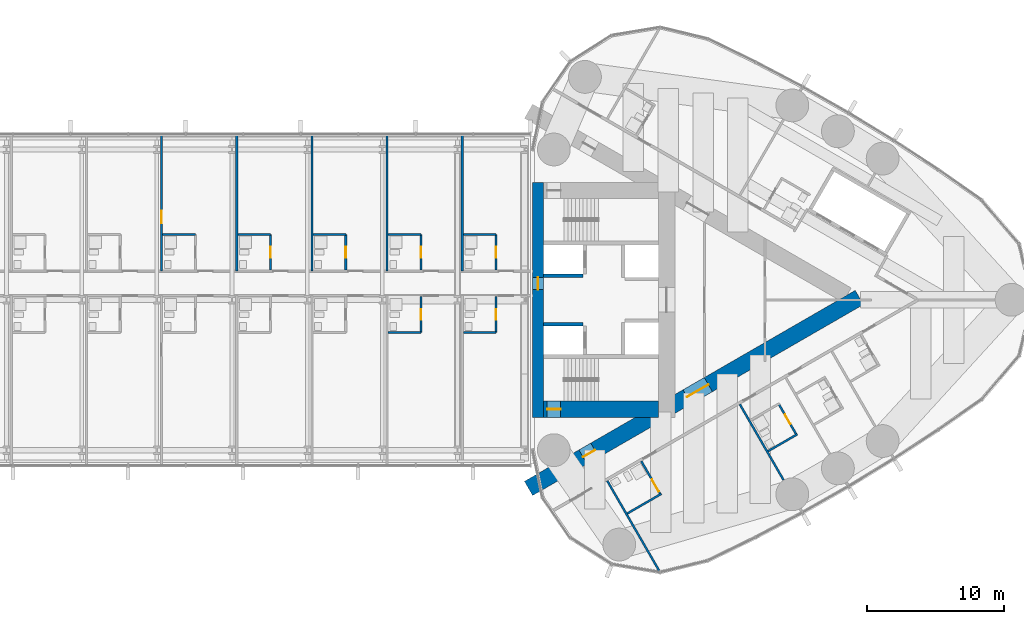
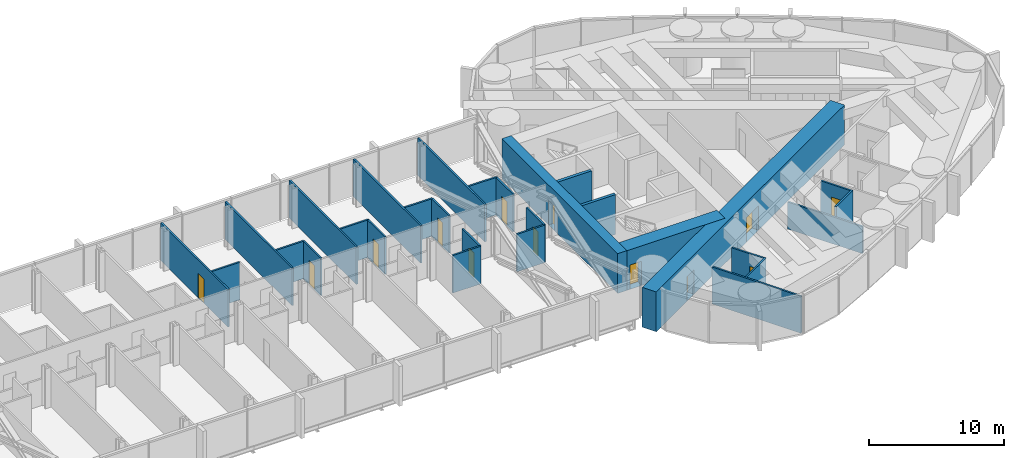
# One storey, part 18 of 23: 29 walls, 13 doors, 13 openings.
"""IFC4 building model written with IfcOpenShell, lengths in metres."""

from ifc_helpers import new_model, si_unit, direction, frame, frame_2d, origin, place, context, subcontext, project, spatial, rectangle, extrude, material, layer, layer_set, type_object, element, fill, save


model = new_model("IFC4")

# Units and contexts
model_context = context("Model", 3, precision=1e-05, world=origin(), true_north=direction((0.0, 1.0)))
body_context = subcontext(model_context, "Body", "Model", "MODEL_VIEW")
ifc_project = project(units=[si_unit("LENGTHUNIT", "METRE"), si_unit("AREAUNIT", "SQUARE_METRE"), si_unit("VOLUMEUNIT", "CUBIC_METRE"), si_unit("PLANEANGLEUNIT", "RADIAN"), si_unit("MASSUNIT", "GRAM", prefix="KILO")], contexts=[model_context])

# Site, building, storey
site_placement = place(None, origin())
site = spatial("IfcSite", under=ifc_project, at=site_placement, CompositionType="ELEMENT")
building_placement = place(site_placement, origin())
building = spatial("IfcBuilding", under=site, at=building_placement, Name="Lancet Gate Hotel", CompositionType="ELEMENT")
storey_placement = place(building_placement, frame((0.0, 0.0, 222.5)))
storey = spatial("IfcBuildingStorey", under=building, at=storey_placement, Name="L59", CompositionType="ELEMENT", Elevation=222.5)

# Wall
ifc_material_1 = material(Name="Moisture resistant board partition")
ifc_layer_1 = layer(ifc_material_1, 0.14990234375)
ifc_layer_set_1 = layer_set([ifc_layer_1], Name="Bathroom wall 150")
wall_type_1 = type_object("IfcWallType", Name="Bathroom wall 150", PredefinedType="PARTITIONING", material=ifc_layer_set_1)
wall_1_placement = place(storey_placement, frame((34.425048828125, -15.633056640625, 0.0), z_axis=(0.0, 0.0, 1.0), x_axis=(0.866018712932, 0.500011588718, 0.0)))
element("IfcWall", 1, at=wall_1_placement, inside=storey, type_object=wall_type_1, Name="T2 bathroom wall 150 L59", PredefinedType="PARTITIONING", context=body_context, shape_type="SweptSolid", body=[
    extrude(rectangle(XDim=2.875, YDim=0.14990234375, at=frame_2d((1.4375, 0.0))), origin(), (0.0, 0.0, 1.0), 3.35009765625),
])

# Wall, opening, door
wall_2_placement = place(storey_placement, frame((35.449951171875, -11.80810546875, 0.0), z_axis=(0.0, 0.0, 1.0), x_axis=(0.49994636267, -0.866056369097, 0.0)))
wall_2 = element("IfcWall", 2, at=wall_2_placement, inside=storey, type_object=wall_type_1, Name="T2 bathroom wall 150 L59", PredefinedType="PARTITIONING", context=body_context, shape_type="SweptSolid", body=[
    extrude(rectangle(XDim=2.800048828125, YDim=0.14990234375, at=frame_2d((1.39990234375, 0.0))), origin(), (0.0, 0.0, 1.0), 3.35009765625),
])
opening_1_placement = place(wall_2_placement, frame((1.550048828125, 0.0, 0.0)))
opening_1 = element("IfcOpeningElement", 3, at=opening_1_placement, cuts=wall_2, Name="Opening 5952-B", PredefinedType="OPENING", context=body_context, shape_type="SweptSolid", body=[
    extrude(rectangle(XDim=1.0, YDim=2.199951171875, at=frame_2d((0.5, 1.10009765625))), frame((0.0, 0.0849609375, 0.0), z_axis=(0.0, -1.0, 0.0), x_axis=(1.0, 0.0, 0.0)), (0.0, 0.0, 1.0), 0.169921875),
])
ifc_material_2 = material(Name="Timber door set", Category="wood")
door_type_1 = type_object("IfcDoorType", Name="Accessible en-suite door 1000", OperationType="SINGLE_SWING_RIGHT", PredefinedType="DOOR", material=ifc_material_2)
door_1_placement = place(opening_1_placement, origin())
door_1 = element("IfcDoor", 4, at=door_1_placement, inside=storey, type_object=door_type_1, Name="5952-B", OperationType="SINGLE_SWING_RIGHT", OverallHeight=2.199951171875, OverallWidth=1.0, PredefinedType="DOOR", context=body_context, shape_type="SweptSolid", body=[
    extrude(rectangle(XDim=1.0, YDim=2.199951171875, at=frame_2d((0.5, 1.10009765625))), frame((0.0, 0.02490234375, 0.0), z_axis=(0.0, -1.0, 0.0), x_axis=(1.0, 0.0, 0.0)), (0.0, 0.0, 1.0), 0.050048828125),
])
fill(opening_1, door_1)

# Wall
wall_3_placement = place(storey_placement, frame((44.724609375, -11.072265625, 0.0), z_axis=(0.0, 0.0, 1.0), x_axis=(0.866006523861, 0.500032699561, 0.0)))
element("IfcWall", 5, at=wall_3_placement, inside=storey, type_object=wall_type_1, Name="T2 bathroom wall 150 L59", PredefinedType="PARTITIONING", context=body_context, shape_type="SweptSolid", body=[
    extrude(rectangle(XDim=2.474853515625, YDim=0.14990234375, at=frame_2d((1.2373046875, 0.0))), origin(), (0.0, 0.0, 1.0), 3.35009765625),
])

# Wall, opening, door
wall_4_placement = place(storey_placement, frame((45.5029296875, -7.62060546875, 0.0), z_axis=(0.0, 0.0, 1.0), x_axis=(0.500006934395, -0.866021400173, 0.0)))
wall_4 = element("IfcWall", 6, at=wall_4_placement, inside=storey, type_object=wall_type_1, Name="T2 bathroom wall 150 L59", PredefinedType="PARTITIONING", context=body_context, shape_type="SweptSolid", body=[
    extrude(rectangle(XDim=2.60009765625, YDim=0.14990234375, at=frame_2d((1.300048828125, 0.0))), origin(), (0.0, 0.0, 1.0), 3.35009765625),
])
opening_2_placement = place(wall_4_placement, frame((0.89990234375, 0.0, 0.0)))
opening_2 = element("IfcOpeningElement", 7, at=opening_2_placement, cuts=wall_4, Name="Opening 5953-B", PredefinedType="OPENING", context=body_context, shape_type="SweptSolid", body=[
    extrude(rectangle(XDim=0.800048828125, YDim=2.199951171875, at=frame_2d((0.39990234375, 1.10009765625))), frame((0.0, 0.0849609375, 0.0), z_axis=(0.0, -1.0, 0.0), x_axis=(1.0, 0.0, 0.0)), (0.0, 0.0, 1.0), 0.169921875),
])
ifc_material_3 = material(Name="Timber door set", Category="wood")
door_type_2 = type_object("IfcDoorType", Name="Bathroom door 800", OperationType="SINGLE_SWING_RIGHT", PredefinedType="DOOR", material=ifc_material_3)
door_2_placement = place(opening_2_placement, origin())
door_2 = element("IfcDoor", 8, at=door_2_placement, inside=storey, type_object=door_type_2, Name="5953-B", OperationType="SINGLE_SWING_RIGHT", OverallHeight=2.199951171875, OverallWidth=0.800048828125, PredefinedType="DOOR", context=body_context, shape_type="SweptSolid", body=[
    extrude(rectangle(XDim=0.800048828125, YDim=2.199951171875, at=frame_2d((0.39990234375, 1.10009765625))), frame((0.0, 0.02490234375, 0.0), z_axis=(0.0, -1.0, 0.0), x_axis=(1.0, 0.0, 0.0)), (0.0, 0.0, 1.0), 0.050048828125),
])
fill(opening_2, door_2)

# Wall
wall_5_placement = place(storey_placement, frame((16.925048828125, -2.375, 0.0), z_axis=(0.0, 0.0, 1.0), x_axis=(1.0, 0.0, 0.0)))
element("IfcWall", 9, at=wall_5_placement, inside=storey, type_object=wall_type_1, Name="Bridge block bathroom wall 150 L59", PredefinedType="PARTITIONING", context=body_context, shape_type="SweptSolid", body=[
    extrude(rectangle(XDim=2.39990234375, YDim=0.14990234375, at=frame_2d((1.199951171875, 0.0))), origin(), (0.0, 0.0, 1.0), 3.39990234375),
])

# Wall, opening, door
wall_6_placement = place(storey_placement, frame((19.324951171875, -2.375, 0.0), z_axis=(0.0, 0.0, 1.0), x_axis=(0.0, 1.0, 0.0)))
wall_6 = element("IfcWall", 10, at=wall_6_placement, inside=storey, type_object=wall_type_1, Name="Bridge block bathroom wall 150 L59", PredefinedType="PARTITIONING", context=body_context, shape_type="SweptSolid", body=[
    extrude(rectangle(XDim=2.60009765625, YDim=0.14990234375, at=frame_2d((1.300048828125, 0.0))), origin(), (0.0, 0.0, 1.0), 3.39990234375),
])
opening_3_placement = place(wall_6_placement, frame((0.89990234375, 0.0, 0.0)))
opening_3 = element("IfcOpeningElement", 11, at=opening_3_placement, cuts=wall_6, Name="Opening B5909-B", PredefinedType="OPENING", context=body_context, shape_type="SweptSolid", body=[
    extrude(rectangle(XDim=0.800048828125, YDim=2.199951171875, at=frame_2d((0.39990234375, 1.10009765625))), frame((0.0, 0.0849609375, 0.0), z_axis=(0.0, -1.0, 0.0), x_axis=(1.0, 0.0, 0.0)), (0.0, 0.0, 1.0), 0.169921875),
])
door_3_placement = place(opening_3_placement, origin())
door_3 = element("IfcDoor", 12, at=door_3_placement, inside=storey, type_object=door_type_2, Name="B5909-B", OperationType="SINGLE_SWING_RIGHT", OverallHeight=2.199951171875, OverallWidth=0.800048828125, PredefinedType="DOOR", context=body_context, shape_type="SweptSolid", body=[
    extrude(rectangle(XDim=0.800048828125, YDim=2.199951171875, at=frame_2d((0.39990234375, 1.10009765625))), frame((0.0, 0.02490234375, 0.0), z_axis=(0.0, -1.0, 0.0), x_axis=(1.0, 0.0, 0.0)), (0.0, 0.0, 1.0), 0.050048828125),
])
fill(opening_3, door_3)

# Wall
wall_7_placement = place(storey_placement, frame((22.425048828125, -2.375, 0.0), z_axis=(0.0, 0.0, 1.0), x_axis=(1.0, 0.0, 0.0)))
element("IfcWall", 13, at=wall_7_placement, inside=storey, type_object=wall_type_1, Name="Bridge block bathroom wall 150 L59", PredefinedType="PARTITIONING", context=body_context, shape_type="SweptSolid", body=[
    extrude(rectangle(XDim=2.39990234375, YDim=0.14990234375, at=frame_2d((1.199951171875, 0.0))), origin(), (0.0, 0.0, 1.0), 3.39990234375),
])

# Wall, opening, door
wall_8_placement = place(storey_placement, frame((24.824951171875, -2.375, 0.0), z_axis=(0.0, 0.0, 1.0), x_axis=(0.0, 1.0, 0.0)))
wall_8 = element("IfcWall", 14, at=wall_8_placement, inside=storey, type_object=wall_type_1, Name="Bridge block bathroom wall 150 L59", PredefinedType="PARTITIONING", context=body_context, shape_type="SweptSolid", body=[
    extrude(rectangle(XDim=2.60009765625, YDim=0.14990234375, at=frame_2d((1.300048828125, 0.0))), origin(), (0.0, 0.0, 1.0), 3.39990234375),
])
opening_4_placement = place(wall_8_placement, frame((0.89990234375, 0.0, 0.0)))
opening_4 = element("IfcOpeningElement", 15, at=opening_4_placement, cuts=wall_8, Name="Opening B5910-B", PredefinedType="OPENING", context=body_context, shape_type="SweptSolid", body=[
    extrude(rectangle(XDim=0.800048828125, YDim=2.199951171875, at=frame_2d((0.39990234375, 1.10009765625))), frame((0.0, 0.0849609375, 0.0), z_axis=(0.0, -1.0, 0.0), x_axis=(1.0, 0.0, 0.0)), (0.0, 0.0, 1.0), 0.169921875),
])
door_4_placement = place(opening_4_placement, origin())
door_4 = element("IfcDoor", 16, at=door_4_placement, inside=storey, type_object=door_type_2, Name="B5910-B", OperationType="SINGLE_SWING_RIGHT", OverallHeight=2.199951171875, OverallWidth=0.800048828125, PredefinedType="DOOR", context=body_context, shape_type="SweptSolid", body=[
    extrude(rectangle(XDim=0.800048828125, YDim=2.199951171875, at=frame_2d((0.39990234375, 1.10009765625))), frame((0.0, 0.02490234375, 0.0), z_axis=(0.0, -1.0, 0.0), x_axis=(1.0, 0.0, 0.0)), (0.0, 0.0, 1.0), 0.050048828125),
])
fill(opening_4, door_4)

# Walls
for number, where, z_axis, x_axis, name in (
    (17, (0.425048828125, 4.77490234375, 0.0), (0.0, 0.0, 1.0), (1.0, 0.0, 0.0), "Bridge block bathroom wall 150 L59"),
    (18, (5.925048828125, 4.77490234375, 0.0), (0.0, 0.0, 1.0), (1.0, 0.0, 0.0), "Bridge block bathroom wall 150 L59"),
):
    element("IfcWall", number, at=place(storey_placement, frame(where, z_axis=z_axis, x_axis=x_axis)), inside=storey, type_object=wall_type_1, Name=name, PredefinedType="PARTITIONING", context=body_context, shape_type="SweptSolid", body=[
        extrude(rectangle(XDim=2.39990234375, YDim=0.14990234375, at=frame_2d((1.199951171875, 0.0))), origin(), (0.0, 0.0, 1.0), 3.39990234375),
    ])

# Wall, opening, door
wall_9_placement = place(storey_placement, frame((8.324951171875, 2.175048828125, 0.0), z_axis=(0.0, 0.0, 1.0), x_axis=(0.0, 1.0, 0.0)))
wall_9 = element("IfcWall", 19, at=wall_9_placement, inside=storey, type_object=wall_type_1, Name="Bridge block bathroom wall 150 L59", PredefinedType="PARTITIONING", context=body_context, shape_type="SweptSolid", body=[
    extrude(rectangle(XDim=2.599853515625, YDim=0.14990234375, at=frame_2d((1.2998046875, 0.0))), origin(), (0.0, 0.0, 1.0), 3.39990234375),
])
opening_5_placement = place(wall_9_placement, frame((0.89990234375, 0.0, 0.0)))
opening_5 = element("IfcOpeningElement", 20, at=opening_5_placement, cuts=wall_9, Name="Opening B5917-B", PredefinedType="OPENING", context=body_context, shape_type="SweptSolid", body=[
    extrude(rectangle(XDim=0.800048828125, YDim=2.199951171875, at=frame_2d((0.39990234375, 1.10009765625))), frame((0.0, 0.0849609375, 0.0), z_axis=(0.0, -1.0, 0.0), x_axis=(1.0, 0.0, 0.0)), (0.0, 0.0, 1.0), 0.169921875),
])
door_5_placement = place(opening_5_placement, origin())
door_5 = element("IfcDoor", 21, at=door_5_placement, inside=storey, type_object=door_type_2, Name="B5917-B", OperationType="SINGLE_SWING_RIGHT", OverallHeight=2.199951171875, OverallWidth=0.800048828125, PredefinedType="DOOR", context=body_context, shape_type="SweptSolid", body=[
    extrude(rectangle(XDim=0.800048828125, YDim=2.199951171875, at=frame_2d((0.39990234375, 1.10009765625))), frame((0.0, 0.02490234375, 0.0), z_axis=(0.0, -1.0, 0.0), x_axis=(1.0, 0.0, 0.0)), (0.0, 0.0, 1.0), 0.050048828125),
])
fill(opening_5, door_5)

# Wall
wall_10_placement = place(storey_placement, frame((11.425048828125, 4.77490234375, 0.0), z_axis=(0.0, 0.0, 1.0), x_axis=(1.0, 0.0, 0.0)))
element("IfcWall", 22, at=wall_10_placement, inside=storey, type_object=wall_type_1, Name="Bridge block bathroom wall 150 L59", PredefinedType="PARTITIONING", context=body_context, shape_type="SweptSolid", body=[
    extrude(rectangle(XDim=2.39990234375, YDim=0.14990234375, at=frame_2d((1.199951171875, 0.0))), origin(), (0.0, 0.0, 1.0), 3.39990234375),
])

# Wall, opening, door
wall_11_placement = place(storey_placement, frame((13.824951171875, 2.175048828125, 0.0), z_axis=(0.0, 0.0, 1.0), x_axis=(0.0, 1.0, 0.0)))
wall_11 = element("IfcWall", 23, at=wall_11_placement, inside=storey, type_object=wall_type_1, Name="Bridge block bathroom wall 150 L59", PredefinedType="PARTITIONING", context=body_context, shape_type="SweptSolid", body=[
    extrude(rectangle(XDim=2.599853515625, YDim=0.14990234375, at=frame_2d((1.2998046875, 0.0))), origin(), (0.0, 0.0, 1.0), 3.39990234375),
])
opening_6_placement = place(wall_11_placement, frame((0.89990234375, 0.0, 0.0)))
opening_6 = element("IfcOpeningElement", 24, at=opening_6_placement, cuts=wall_11, Name="Opening B5918-B", PredefinedType="OPENING", context=body_context, shape_type="SweptSolid", body=[
    extrude(rectangle(XDim=0.800048828125, YDim=2.199951171875, at=frame_2d((0.39990234375, 1.10009765625))), frame((0.0, 0.0849609375, 0.0), z_axis=(0.0, -1.0, 0.0), x_axis=(1.0, 0.0, 0.0)), (0.0, 0.0, 1.0), 0.169921875),
])
door_6_placement = place(opening_6_placement, origin())
door_6 = element("IfcDoor", 25, at=door_6_placement, inside=storey, type_object=door_type_2, Name="B5918-B", OperationType="SINGLE_SWING_RIGHT", OverallHeight=2.199951171875, OverallWidth=0.800048828125, PredefinedType="DOOR", context=body_context, shape_type="SweptSolid", body=[
    extrude(rectangle(XDim=0.800048828125, YDim=2.199951171875, at=frame_2d((0.39990234375, 1.10009765625))), frame((0.0, 0.02490234375, 0.0), z_axis=(0.0, -1.0, 0.0), x_axis=(1.0, 0.0, 0.0)), (0.0, 0.0, 1.0), 0.050048828125),
])
fill(opening_6, door_6)

# Wall
wall_12_placement = place(storey_placement, frame((16.925048828125, 4.77490234375, 0.0), z_axis=(0.0, 0.0, 1.0), x_axis=(1.0, 0.0, 0.0)))
element("IfcWall", 26, at=wall_12_placement, inside=storey, type_object=wall_type_1, Name="Bridge block bathroom wall 150 L59", PredefinedType="PARTITIONING", context=body_context, shape_type="SweptSolid", body=[
    extrude(rectangle(XDim=2.39990234375, YDim=0.14990234375, at=frame_2d((1.199951171875, 0.0))), origin(), (0.0, 0.0, 1.0), 3.39990234375),
])

# Wall, opening, door
wall_13_placement = place(storey_placement, frame((19.324951171875, 2.175048828125, 0.0), z_axis=(0.0, 0.0, 1.0), x_axis=(0.0, 1.0, 0.0)))
wall_13 = element("IfcWall", 27, at=wall_13_placement, inside=storey, type_object=wall_type_1, Name="Bridge block bathroom wall 150 L59", PredefinedType="PARTITIONING", context=body_context, shape_type="SweptSolid", body=[
    extrude(rectangle(XDim=2.599853515625, YDim=0.14990234375, at=frame_2d((1.2998046875, 0.0))), origin(), (0.0, 0.0, 1.0), 3.39990234375),
])
opening_7_placement = place(wall_13_placement, frame((0.89990234375, 0.0, 0.0)))
opening_7 = element("IfcOpeningElement", 28, at=opening_7_placement, cuts=wall_13, Name="Opening B5919-B", PredefinedType="OPENING", context=body_context, shape_type="SweptSolid", body=[
    extrude(rectangle(XDim=0.800048828125, YDim=2.199951171875, at=frame_2d((0.39990234375, 1.10009765625))), frame((0.0, 0.0849609375, 0.0), z_axis=(0.0, -1.0, 0.0), x_axis=(1.0, 0.0, 0.0)), (0.0, 0.0, 1.0), 0.169921875),
])
door_7_placement = place(opening_7_placement, origin())
door_7 = element("IfcDoor", 29, at=door_7_placement, inside=storey, type_object=door_type_2, Name="B5919-B", OperationType="SINGLE_SWING_RIGHT", OverallHeight=2.199951171875, OverallWidth=0.800048828125, PredefinedType="DOOR", context=body_context, shape_type="SweptSolid", body=[
    extrude(rectangle(XDim=0.800048828125, YDim=2.199951171875, at=frame_2d((0.39990234375, 1.10009765625))), frame((0.0, 0.02490234375, 0.0), z_axis=(0.0, -1.0, 0.0), x_axis=(1.0, 0.0, 0.0)), (0.0, 0.0, 1.0), 0.050048828125),
])
fill(opening_7, door_7)

# Wall
wall_14_placement = place(storey_placement, frame((22.425048828125, 4.77490234375, 0.0), z_axis=(0.0, 0.0, 1.0), x_axis=(1.0, 0.0, 0.0)))
element("IfcWall", 30, at=wall_14_placement, inside=storey, type_object=wall_type_1, Name="Bridge block bathroom wall 150 L59", PredefinedType="PARTITIONING", context=body_context, shape_type="SweptSolid", body=[
    extrude(rectangle(XDim=2.39990234375, YDim=0.14990234375, at=frame_2d((1.199951171875, 0.0))), origin(), (0.0, 0.0, 1.0), 3.39990234375),
])

# Wall, opening, door
wall_15_placement = place(storey_placement, frame((24.824951171875, 2.175048828125, 0.0), z_axis=(0.0, 0.0, 1.0), x_axis=(0.0, 1.0, 0.0)))
wall_15 = element("IfcWall", 31, at=wall_15_placement, inside=storey, type_object=wall_type_1, Name="Bridge block bathroom wall 150 L59", PredefinedType="PARTITIONING", context=body_context, shape_type="SweptSolid", body=[
    extrude(rectangle(XDim=2.599853515625, YDim=0.14990234375, at=frame_2d((1.2998046875, 0.0))), origin(), (0.0, 0.0, 1.0), 3.39990234375),
])
opening_8_placement = place(wall_15_placement, frame((0.89990234375, 0.0, 0.0)))
opening_8 = element("IfcOpeningElement", 32, at=opening_8_placement, cuts=wall_15, Name="Opening B5920-B", PredefinedType="OPENING", context=body_context, shape_type="SweptSolid", body=[
    extrude(rectangle(XDim=0.800048828125, YDim=2.199951171875, at=frame_2d((0.39990234375, 1.10009765625))), frame((0.0, 0.0849609375, 0.0), z_axis=(0.0, -1.0, 0.0), x_axis=(1.0, 0.0, 0.0)), (0.0, 0.0, 1.0), 0.169921875),
])
door_8_placement = place(opening_8_placement, origin())
door_8 = element("IfcDoor", 33, at=door_8_placement, inside=storey, type_object=door_type_2, Name="B5920-B", OperationType="SINGLE_SWING_RIGHT", OverallHeight=2.199951171875, OverallWidth=0.800048828125, PredefinedType="DOOR", context=body_context, shape_type="SweptSolid", body=[
    extrude(rectangle(XDim=0.800048828125, YDim=2.199951171875, at=frame_2d((0.39990234375, 1.10009765625))), frame((0.0, 0.02490234375, 0.0), z_axis=(0.0, -1.0, 0.0), x_axis=(1.0, 0.0, 0.0)), (0.0, 0.0, 1.0), 0.050048828125),
])
fill(opening_8, door_8)

# Wall, openings, doors
ifc_material_4 = material(Name="Concrete C70/85", Category="concrete")
ifc_layer_2 = layer(ifc_material_4, 1.199951171875)
ifc_layer_set_2 = layer_set([ifc_layer_2], Name="Buttress wall 1200")
wall_type_2 = type_object("IfcWallType", Name="Buttress wall 1200", PredefinedType="SHEAR", material=ifc_layer_set_2)
wall_16_placement = place(storey_placement, frame((27.199951171875, -13.800048828125, 0.0), z_axis=(0.0, 0.0, 1.0), x_axis=(0.866027159892, 0.499996958321, 0.0)))
wall_16 = element("IfcWall", 34, at=wall_16_placement, inside=storey, type_object=wall_type_2, Name="T2 buttress wall S L59", PredefinedType="SHEAR", context=body_context, shape_type="SweptSolid", body=[
    extrude(rectangle(XDim=27.946533203125, YDim=1.199951171875, at=frame_2d((13.97314453125, 0.0))), origin(), (0.0, 0.0, 1.0), 3.60009765625),
])
opening_9_placement = place(wall_16_placement, frame((4.60009765625, 0.0, 0.0)))
opening_9 = element("IfcOpeningElement", 35, at=opening_9_placement, cuts=wall_16, Name="Opening T2-L59-LS", PredefinedType="OPENING", context=body_context, shape_type="SweptSolid", body=[
    extrude(rectangle(XDim=1.0, YDim=2.199951171875, at=frame_2d((0.5, 1.10009765625))), frame((0.0, 0.60986328125, 0.0), z_axis=(0.0, -1.0, 0.0), x_axis=(1.0, 0.0, 0.0)), (0.0, 0.0, 1.0), 1.219970703125),
])
opening_10_placement = place(wall_16_placement, frame((13.39453125, 0.0, 0.0)))
opening_10 = element("IfcOpeningElement", 36, at=opening_10_placement, cuts=wall_16, Name="Opening T2-L59-LHS", PredefinedType="OPENING", context=body_context, shape_type="SweptSolid", body=[
    extrude(rectangle(XDim=1.800048828125, YDim=2.199951171875, at=frame_2d((0.89990234375, 1.10009765625))), frame((0.0, 0.60986328125, 0.0), z_axis=(0.0, -1.0, 0.0), x_axis=(1.0, 0.0, 0.0)), (0.0, 0.0, 1.0), 1.219970703125),
])
ifc_material_5 = material(Name="Timber door set", Category="wood")
door_type_3 = type_object("IfcDoorType", Name="Lobby double door 1800", OperationType="DOUBLE_DOOR_SINGLE_SWING", PredefinedType="DOOR", material=ifc_material_5)
door_9_placement = place(opening_10_placement, origin())
door_9 = element("IfcDoor", 37, at=door_9_placement, inside=storey, type_object=door_type_3, Name="T2-L59-LHS", OperationType="DOUBLE_DOOR_SINGLE_SWING", OverallHeight=2.199951171875, OverallWidth=1.800048828125, PredefinedType="DOOR", context=body_context, shape_type="SweptSolid", body=[
    extrude(rectangle(XDim=1.800048828125, YDim=2.199951171875, at=frame_2d((0.89990234375, 1.10009765625))), frame((0.0, 0.02490234375, 0.0), z_axis=(0.0, -1.0, 0.0), x_axis=(1.0, 0.0, 0.0)), (0.0, 0.0, 1.0), 0.050048828125),
])
fill(opening_10, door_9)
ifc_material_6 = material(Name="Timber door set", Category="wood")
door_type_4 = type_object("IfcDoorType", Name="Stair lobby door 1000", OperationType="SINGLE_SWING_LEFT", PredefinedType="DOOR", material=ifc_material_6)
door_10_placement = place(opening_9_placement, origin())
door_10 = element("IfcDoor", 38, at=door_10_placement, inside=storey, type_object=door_type_4, Name="T2-L59-LS", OperationType="SINGLE_SWING_LEFT", OverallHeight=2.199951171875, OverallWidth=1.0, PredefinedType="DOOR", context=body_context, shape_type="SweptSolid", body=[
    extrude(rectangle(XDim=1.0, YDim=2.199951171875, at=frame_2d((0.5, 1.10009765625))), frame((0.0, 0.02490234375, 0.0), z_axis=(0.0, -1.0, 0.0), x_axis=(1.0, 0.0, 0.0)), (0.0, 0.0, 1.0), 0.050048828125),
])
fill(opening_9, door_10)

# Wall, opening, door
ifc_material_7 = material(Name="Concrete C70/85", Category="concrete")
ifc_layer_3 = layer(ifc_material_7, 1.199951171875)
ifc_layer_set_3 = layer_set([ifc_layer_3], Name="Core wall 1200")
wall_type_3 = type_object("IfcWallType", Name="Core wall 1200", PredefinedType="SHEAR", material=ifc_layer_set_3)
wall_17_placement = place(storey_placement, frame((28.300048828125, -8.0, 0.0), z_axis=(0.0, 0.0, 1.0), x_axis=(1.0, 0.0, 0.0)))
wall_17 = element("IfcWall", 39, at=wall_17_placement, inside=storey, type_object=wall_type_3, Name="T2 core wall side-S L59", PredefinedType="SHEAR", context=body_context, shape_type="SweptSolid", body=[
    extrude(rectangle(XDim=8.39990234375, YDim=1.199951171875, at=frame_2d((4.199951171875, 0.0))), origin(), (0.0, 0.0, 1.0), 3.60009765625),
])
opening_11_placement = place(wall_17_placement, frame((0.25, 0.0, 0.0)))
opening_11 = element("IfcOpeningElement", 40, at=opening_11_placement, cuts=wall_17, Name="Opening T2-L59-ST1", PredefinedType="OPENING", context=body_context, shape_type="SweptSolid", body=[
    extrude(rectangle(XDim=1.0, YDim=2.199951171875, at=frame_2d((0.5, 1.10009765625))), frame((0.0, 0.60986328125, 0.0), z_axis=(0.0, -1.0, 0.0), x_axis=(1.0, 0.0, 0.0)), (0.0, 0.0, 1.0), 1.219970703125),
])
ifc_material_8 = material(Name="Timber door set", Category="wood")
door_type_5 = type_object("IfcDoorType", Name="Stair door 1000", OperationType="SINGLE_SWING_RIGHT", PredefinedType="DOOR", material=ifc_material_8)
door_11_placement = place(opening_11_placement, origin())
door_11 = element("IfcDoor", 41, at=door_11_placement, inside=storey, type_object=door_type_5, Name="T2-L59-ST1", OperationType="SINGLE_SWING_RIGHT", OverallHeight=2.199951171875, OverallWidth=1.0, PredefinedType="DOOR", context=body_context, shape_type="SweptSolid", body=[
    extrude(rectangle(XDim=1.0, YDim=2.199951171875, at=frame_2d((0.5, 1.10009765625))), frame((0.0, 0.02490234375, 0.0), z_axis=(0.0, -1.0, 0.0), x_axis=(1.0, 0.0, 0.0)), (0.0, 0.0, 1.0), 0.050048828125),
])
fill(opening_11, door_11)

ifc_material_9 = material(Name="Concrete C70/85", Category="concrete")
ifc_layer_4 = layer(ifc_material_9, 0.800048828125)
ifc_layer_set_4 = layer_set([ifc_layer_4], Name="Core wall 800")
wall_type_4 = type_object("IfcWallType", Name="Core wall 800", PredefinedType="SHEAR", material=ifc_layer_set_4)
wall_18_placement = place(storey_placement, frame((27.89990234375, -8.60009765625, 0.0), z_axis=(0.0, 0.0, 1.0), x_axis=(0.0, 1.0, 0.0)))
wall_18 = element("IfcWall", 42, at=wall_18_placement, inside=storey, type_object=wall_type_4, Name="T2 core wall front L59", PredefinedType="SHEAR", context=body_context, shape_type="SweptSolid", body=[
    extrude(rectangle(XDim=17.2001953125, YDim=0.800048828125, at=frame_2d((8.60009765625, 0.0))), origin(), (0.0, 0.0, 1.0), 3.60009765625),
])
opening_12_placement = place(wall_18_placement, frame((9.35009765625, 0.0, 0.0)))
opening_12 = element("IfcOpeningElement", 43, at=opening_12_placement, cuts=wall_18, Name="Opening T2-L59-BR", PredefinedType="OPENING", context=body_context, shape_type="SweptSolid", body=[
    extrude(rectangle(XDim=0.89990234375, YDim=2.199951171875, at=frame_2d((0.449951171875, 1.10009765625))), frame((0.0, 0.409912109375, 0.0), z_axis=(0.0, -1.0, 0.0), x_axis=(1.0, 0.0, 0.0)), (0.0, 0.0, 1.0), 0.820068359375),
])
ifc_material_10 = material(Name="Steel door set", Category="steel")
door_type_6 = type_object("IfcDoorType", Name="Bridge fire door 900", OperationType="SINGLE_SWING_LEFT", PredefinedType="DOOR", material=ifc_material_10)
door_12_placement = place(opening_12_placement, origin())
door_12 = element("IfcDoor", 44, at=door_12_placement, inside=storey, type_object=door_type_6, Name="T2-L59-BR", OperationType="SINGLE_SWING_LEFT", OverallHeight=2.199951171875, OverallWidth=0.89990234375, PredefinedType="DOOR", context=body_context, shape_type="SweptSolid", body=[
    extrude(rectangle(XDim=0.89990234375, YDim=2.199951171875, at=frame_2d((0.449951171875, 1.10009765625))), frame((0.0, 0.02490234375, 0.0), z_axis=(0.0, -1.0, 0.0), x_axis=(1.0, 0.0, 0.0)), (0.0, 0.0, 1.0), 0.050048828125),
])
fill(opening_12, door_12)

# Walls
ifc_material_11 = material(Name="Concrete C50/60", Category="concrete")
ifc_layer_5 = layer(ifc_material_11, 0.25)
ifc_layer_set_5 = layer_set([ifc_layer_5], Name="Lift shaft wall 250")
wall_type_5 = type_object("IfcWallType", Name="Lift shaft wall 250", PredefinedType="SHEAR", material=ifc_layer_set_5)
for number, where, z_axis, x_axis, name in (
    (45, (28.300048828125, -1.77490234375, 0.0), (0.0, 0.0, 1.0), (1.0, 0.0, 0.0), "T2 core wall pass1-S L59"),
    (46, (28.300048828125, 1.77490234375, 0.0), (0.0, 0.0, 1.0), (1.0, 0.0, 0.0), "T2 core wall pass1-N L59"),
):
    element("IfcWall", number, at=place(storey_placement, frame(where, z_axis=z_axis, x_axis=x_axis)), inside=storey, type_object=wall_type_5, Name=name, PredefinedType="SHEAR", context=body_context, shape_type="SweptSolid", body=[
        extrude(rectangle(XDim=2.89990234375, YDim=0.25, at=frame_2d((1.449951171875, 0.0))), origin(), (0.0, 0.0, 1.0), 3.60009765625),
    ])
ifc_material_12 = material(Name="Gypsum board partition")
ifc_layer_6 = layer(ifc_material_12, 0.14990234375)
ifc_layer_set_6 = layer_set([ifc_layer_6], Name="Party wall 150")
wall_type_6 = type_object("IfcWallType", Name="Party wall 150", PredefinedType="PARTITIONING", material=ifc_layer_set_6)
wall_19_placement = place(storey_placement, frame((32.9599609375, -13.24560546875, 0.0), z_axis=(0.0, 0.0, 1.0), x_axis=(0.500000236886, -0.866025267018, 0.0)))
element("IfcWall", 47, at=wall_19_placement, inside=storey, type_object=wall_type_6, Name="T2 party wall 150 L59", PredefinedType="PARTITIONING", context=body_context, shape_type="SweptSolid", body=[
    extrude(rectangle(XDim=7.58251953125, YDim=0.14990234375, at=frame_2d((3.791259765625, 0.0))), origin(), (0.0, 0.0, 1.0), 3.35009765625),
])
wall_20_placement = place(storey_placement, frame((42.65966796875, -7.6455078125, 0.0), z_axis=(0.0, 0.0, 1.0), x_axis=(0.499996592859, -0.866027370889, 0.0)))
element("IfcWall", 48, at=wall_20_placement, inside=storey, type_object=wall_type_6, Name="T2 party wall 150 L59", PredefinedType="PARTITIONING", context=body_context, shape_type="SweptSolid", body=[
    extrude(rectangle(XDim=6.3984375, YDim=0.14990234375, at=frame_2d((3.19921875, 0.0))), origin(), (0.0, 0.0, 1.0), 2.449951171875),
])

# Wall, opening, door
wall_21_placement = place(storey_placement, frame((0.35009765625, 2.10009765625, 0.0), z_axis=(0.0, 0.0, 1.0), x_axis=(0.0, 1.0, 0.0)))
wall_21 = element("IfcWall", 49, at=wall_21_placement, inside=storey, type_object=wall_type_6, Name="Bridge block party wall 150 L59", PredefinedType="PARTITIONING", context=body_context, shape_type="SweptSolid", body=[
    extrude(rectangle(XDim=9.969970703125, YDim=0.14990234375, at=frame_2d((4.98486328125, 0.0))), origin(), (0.0, 0.0, 1.0), 3.39990234375),
])
opening_13_placement = place(wall_21_placement, frame((3.5, 0.0, 0.0)))
opening_13 = element("IfcOpeningElement", 50, at=opening_13_placement, cuts=wall_21, Name="Opening B5915-C", PredefinedType="OPENING", context=body_context, shape_type="SweptSolid", body=[
    extrude(rectangle(XDim=0.89990234375, YDim=2.199951171875, at=frame_2d((0.449951171875, 1.10009765625))), frame((0.0, 0.0849609375, 0.0), z_axis=(0.0, -1.0, 0.0), x_axis=(1.0, 0.0, 0.0)), (0.0, 0.0, 1.0), 0.169921875),
])
ifc_material_13 = material(Name="Timber door set", Category="wood")
door_type_7 = type_object("IfcDoorType", Name="Connecting door 900", OperationType="SINGLE_SWING_LEFT", PredefinedType="DOOR", material=ifc_material_13)
door_13_placement = place(opening_13_placement, origin())
door_13 = element("IfcDoor", 51, at=door_13_placement, inside=storey, type_object=door_type_7, Name="B5915-C", OperationType="SINGLE_SWING_LEFT", OverallHeight=2.199951171875, OverallWidth=0.89990234375, PredefinedType="DOOR", context=body_context, shape_type="SweptSolid", body=[
    extrude(rectangle(XDim=0.89990234375, YDim=2.199951171875, at=frame_2d((0.449951171875, 1.10009765625))), frame((0.0, 0.02490234375, 0.0), z_axis=(0.0, -1.0, 0.0), x_axis=(1.0, 0.0, 0.0)), (0.0, 0.0, 1.0), 0.050048828125),
])
fill(opening_13, door_13)

# Walls
for number, where, z_axis, x_axis, name in (
    (52, (5.85009765625, 2.10009765625, 0.0), (0.0, 0.0, 1.0), (0.0, 1.0, 0.0), "Bridge block party wall 150 L59"),
    (53, (11.35009765625, 2.10009765625, 0.0), (0.0, 0.0, 1.0), (0.0, 1.0, 0.0), "Bridge block party wall 150 L59"),
    (54, (16.85009765625, 2.10009765625, 0.0), (0.0, 0.0, 1.0), (0.0, 1.0, 0.0), "Bridge block party wall 150 L59"),
    (55, (22.35009765625, 2.10009765625, 0.0), (0.0, 0.0, 1.0), (0.0, 1.0, 0.0), "Bridge block party wall 150 L59"),
):
    element("IfcWall", number, at=place(storey_placement, frame(where, z_axis=z_axis, x_axis=x_axis)), inside=storey, type_object=wall_type_6, Name=name, PredefinedType="PARTITIONING", context=body_context, shape_type="SweptSolid", body=[
        extrude(rectangle(XDim=9.969970703125, YDim=0.14990234375, at=frame_2d((4.98486328125, 0.0))), origin(), (0.0, 0.0, 1.0), 3.39990234375),
    ])

save(model, "model.ifc")
